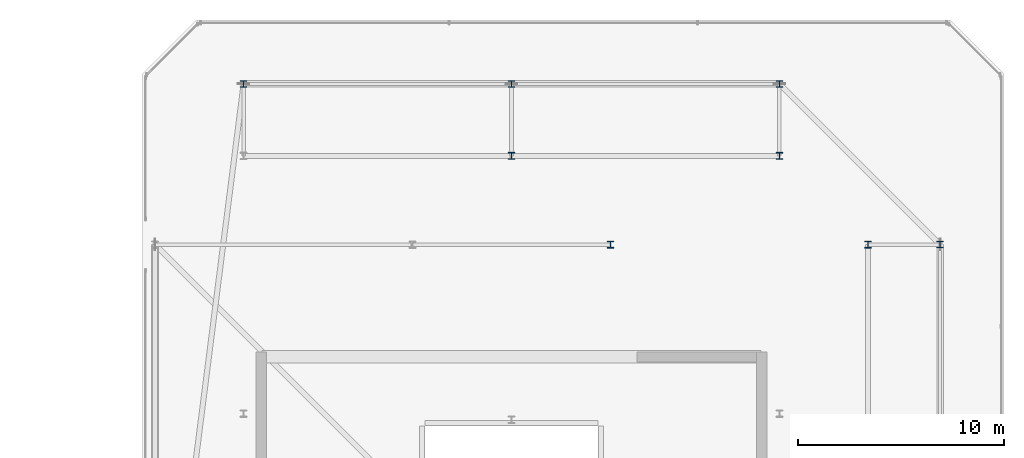
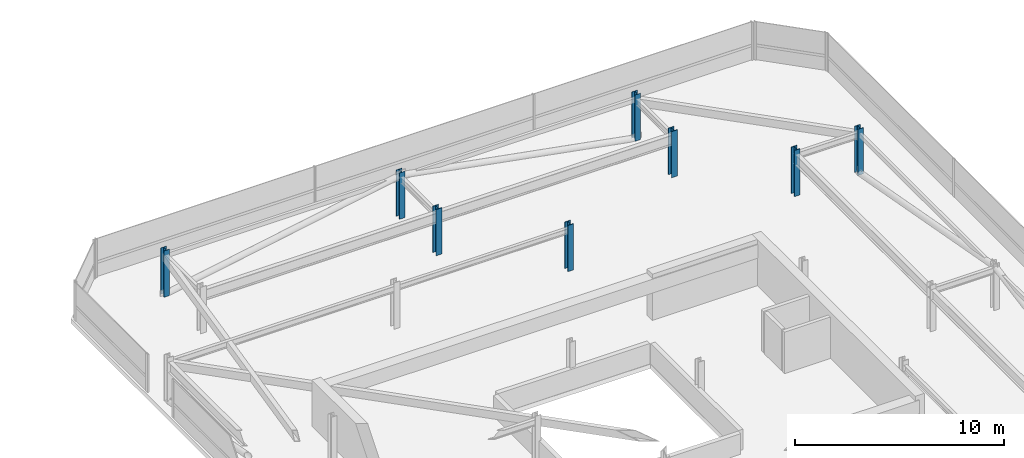
# One storey, part 6 of 42: 8 columns.
"""IFC4 building model written with IfcOpenShell, lengths in metres."""

from ifc_helpers import new_model, si_unit, direction, frame, origin, origin_2d, place, context, subcontext, project, spatial, i_section, extrude, material, material_profile, profile_set, type_object, element, save


model = new_model("IFC4")

# Units and contexts
model_context = context("Model", 3, precision=1e-05, world=origin(), true_north=direction((0.0, 1.0)))
body_context = subcontext(model_context, "Body", "Model", "MODEL_VIEW")
ifc_project = project(units=[si_unit("LENGTHUNIT", "METRE"), si_unit("AREAUNIT", "SQUARE_METRE"), si_unit("VOLUMEUNIT", "CUBIC_METRE"), si_unit("PLANEANGLEUNIT", "RADIAN"), si_unit("MASSUNIT", "GRAM", prefix="KILO")], contexts=[model_context])

# Site, building, storey
site_placement = place(None, origin())
site = spatial("IfcSite", under=ifc_project, at=site_placement, CompositionType="ELEMENT")
building_placement = place(site_placement, origin())
building = spatial("IfcBuilding", under=site, at=building_placement, Name="Thornwick Lancets Civic Towers", CompositionType="ELEMENT")
storey_placement = place(building_placement, frame((0.0, 0.0, 284.10009765625)))
storey = spatial("IfcBuildingStorey", under=building, at=storey_placement, Name="C02", CompositionType="ELEMENT", Elevation=284.10009765625)

# Columns
ifc_material = material(Name="Steel S355JR", Category="steel")
ifc_material_profile_1 = material_profile(ifc_material, i_section(OverallWidth=0.30908203125, OverallDepth=0.320556640625, WebThickness=0.013916015625, FlangeThickness=0.021728515625, FilletRadius=0.01513671875, at=origin_2d()), Name="UKC 305x305x137")
ifc_profile_set_1 = profile_set([ifc_material_profile_1], Name="Steel S355JR")
column_type_1 = type_object("IfcColumnType", Name="COL_UKC_137", PredefinedType="COLUMN", material=ifc_profile_set_1)
for number, where, z_axis, x_axis, name in (
    (1, (109.300048828125, 40.0, 0.0), (0.0, 0.0, 1.0), (1.0, 0.0, 0.0), "C02 Block Perimeter Column B03"),
    (2, (101.5, 47.800048828125, 0.0), (0.0, 0.0, 1.0), (1.0, 0.0, 0.0), "C02 Block Perimeter Column B04"),
    (3, (88.5, 47.800048828125, 0.0), (0.0, 0.0, 1.0), (1.0, 0.0, 0.0), "C02 Block Perimeter Column B05"),
    (4, (75.5, 47.800048828125, 0.0), (0.0, 0.0, 1.0), (1.0, 0.0, 0.0), "C02 Block Perimeter Column B06"),
):
    element("IfcColumn", number, at=place(storey_placement, frame(where, z_axis=z_axis, x_axis=x_axis)), inside=storey, type_object=column_type_1, Name=name, PredefinedType="COLUMN", context=body_context, shape_type="SweptSolid", body=[
        extrude(i_section(OverallWidth=0.30908203125, OverallDepth=0.320556640625, WebThickness=0.013916015625, FlangeThickness=0.021728515625, FilletRadius=0.01513671875, at=origin_2d()), origin(), (0.0, 0.0, 1.0), 2.699951171875),
    ])
ifc_material_profile_2 = material_profile(ifc_material, i_section(OverallWidth=0.314453125, OverallDepth=0.33984375, WebThickness=0.01904296875, FlangeThickness=0.031494140625, FilletRadius=0.01513671875, at=origin_2d()), Name="UKC 305x305x198")
ifc_profile_set_2 = profile_set([ifc_material_profile_2], Name="Steel S355JR")
column_type_2 = type_object("IfcColumnType", Name="COL_UKC_198", PredefinedType="COLUMN", material=ifc_profile_set_2)
for number, where, z_axis, x_axis, name in (
    (5, (105.800048828125, 40.0, 0.0), (0.0, 0.0, 1.0), (1.0, 0.0, 0.0), "C02 Spine Mega-Column B03"),
    (6, (101.5, 44.300048828125, 0.0), (0.0, 0.0, 1.0), (1.0, 0.0, 0.0), "C02 Spine Mega-Column B04"),
    (7, (88.5, 44.300048828125, 0.0), (0.0, 0.0, 1.0), (1.0, 0.0, 0.0), "C02 Spine Mega-Column B05"),
    (8, (93.300048828125, 40.0, 0.0), (0.0, 0.0, 1.0), (1.0, 0.0, 0.0), "C02 Spine Mega-Column B14"),
):
    element("IfcColumn", number, at=place(storey_placement, frame(where, z_axis=z_axis, x_axis=x_axis)), inside=storey, type_object=column_type_2, Name=name, PredefinedType="COLUMN", context=body_context, shape_type="SweptSolid", body=[
        extrude(i_section(OverallWidth=0.314453125, OverallDepth=0.33984375, WebThickness=0.01904296875, FlangeThickness=0.031494140625, FilletRadius=0.01513671875, at=origin_2d()), origin(), (0.0, 0.0, 1.0), 2.699951171875),
    ])

save(model, "model.ifc")
